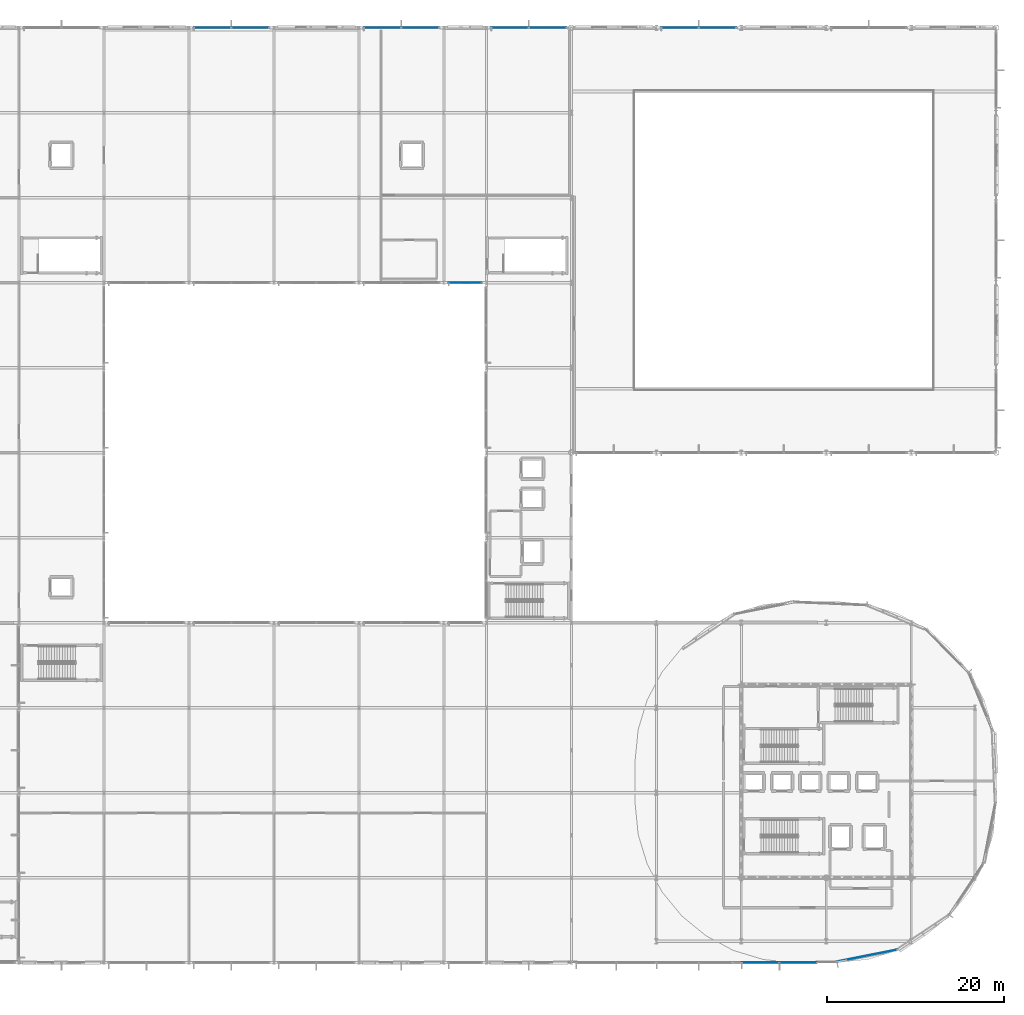
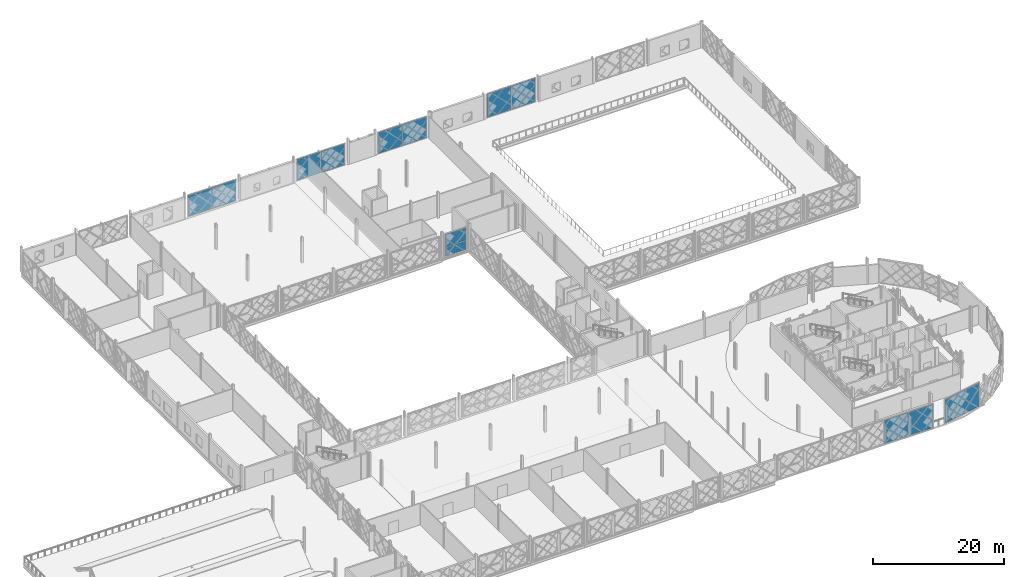
# One storey, part 43 of 77: 13 plates, 7 elements without a shape of their own.
"""IFC4 building model written with IfcOpenShell, lengths in metres."""

import ifcopenshell
import ifcopenshell.guid

model = None  # the IFC model being written
_history = None  # IfcOwnerHistory: only IFC2X3 demands one
_inside = {}  # id of a spatial element -> (the spatial element, [elements in it])
_under = {}  # id of a project, library or spatial element -> (it, [spatial elements below it])
_declared = {}  # id of a project -> (the project, [libraries it declares])
_typed = {}  # id of a type object -> (the type object, [elements of that type])
_made_of = {}  # id of a material, layer set ... -> (it, [elements and type objects made of it])


def new_model(schema):
    """Start an empty IFC model of exactly this schema.

    Asked for "IFC4X3", IfcOpenShell would pick the latest addendum, in which some entities
    have other attributes; the version numbers below select the first issue.
    IFC2X3 requires an IfcOwnerHistory on every rooted entity: one is made here for all.
    """
    global model, _history
    if schema == "IFC4X3":
        model = ifcopenshell.file(schema_version=(4, 3, 0, 0))
    else:
        model = ifcopenshell.file(schema=schema)
    _inside.clear()
    _under.clear()
    _declared.clear()
    _typed.clear()
    _made_of.clear()
    _history = None
    if model.schema == "IFC2X3":
        org = make("IfcOrganization", Name="unknown")
        user = make(
            "IfcPersonAndOrganization",
            ThePerson=make("IfcPerson", FamilyName="unknown"),
            TheOrganization=org,
        )
        app = make(
            "IfcApplication",
            ApplicationDeveloper=org,
            Version="unknown",
            ApplicationFullName="unknown",
            ApplicationIdentifier="unknown",
        )
        _history = make(
            "IfcOwnerHistory",
            OwningUser=user,
            OwningApplication=app,
            ChangeAction="ADDED",
            CreationDate=0,
        )
    return model


def make(cls, **values):
    """One entity of the class cls with the attributes given. An attribute that is None is left unset."""
    return model.create_entity(
        cls, **{name: value for name, value in values.items() if value is not None}
    )


def rooted(cls, **values):
    """An entity with a GlobalId (a new one), such as an element, a storey or a relation."""
    return make(cls, GlobalId=ifcopenshell.guid.new(), OwnerHistory=_history, **values)


def si_unit(unit_type, name, prefix=None):
    """IfcSIUnit, for example si_unit("LENGTHUNIT", "METRE", prefix="MILLI")."""
    return make("IfcSIUnit", UnitType=unit_type, Prefix=prefix, Name=name)


def assignment(units):
    """IfcUnitAssignment: the units of a project."""
    return None if units is None else make("IfcUnitAssignment", Units=units)


def point(xyz):
    """IfcCartesianPoint."""
    return None if xyz is None else make("IfcCartesianPoint", Coordinates=xyz)


def direction(xyz):
    """IfcDirection."""
    return None if xyz is None else make("IfcDirection", DirectionRatios=xyz)


def frame(location, z_axis=None, x_axis=None):
    """IfcAxis2Placement3D, a coordinate frame: its origin and axes. An axis left out is left unset."""
    return make(
        "IfcAxis2Placement3D",
        Location=point(location),
        Axis=direction(z_axis),
        RefDirection=direction(x_axis),
    )


def frame_2d(location, x_axis=None):
    """IfcAxis2Placement2D, a coordinate frame in the plane: its origin and x axis."""
    return make(
        "IfcAxis2Placement2D", Location=point(location), RefDirection=direction(x_axis)
    )


def origin():
    """The frame at (0, 0, 0) with its axes left unset."""
    return frame((0.0, 0.0, 0.0))


def origin_2d():
    """The frame at (0, 0) in the plane with its x axis left unset."""
    return frame_2d((0.0, 0.0))


def place(relative_to, where):
    """IfcLocalPlacement: puts the frame where relative to a parent placement (None: the world)."""
    return make(
        "IfcLocalPlacement", PlacementRelTo=relative_to, RelativePlacement=where
    )


def context(
    kind, dimensions, precision=None, world=None, true_north=None, identifier=None
):
    """IfcGeometricRepresentationContext, for example the 3D "Model" context."""
    return make(
        "IfcGeometricRepresentationContext",
        ContextIdentifier=identifier,
        ContextType=kind,
        CoordinateSpaceDimension=dimensions,
        Precision=precision,
        WorldCoordinateSystem=world,
        TrueNorth=true_north,
    )


def subcontext(parent, identifier, kind, view, scale=None):
    """IfcGeometricRepresentationSubContext, for example "Body" below "Model"."""
    return make(
        "IfcGeometricRepresentationSubContext",
        ContextIdentifier=identifier,
        ContextType=kind,
        ParentContext=parent,
        TargetScale=scale,
        TargetView=view,
    )


def project(units=None, contexts=None):
    """IfcProject with its units and contexts."""
    return rooted(
        "IfcProject",
        Name="project",
        RepresentationContexts=contexts,
        UnitsInContext=assignment(units),
    )


def spatial(cls, under=None, at=None, **own):
    """A site, building, storey or space (cls), placed at a placement, below another one or the project."""
    s = rooted(cls, ObjectPlacement=at, **own)
    if under is not None:
        _under.setdefault(under.id(), (under, []))[1].append(s)
    return s


def profile(cls, at=None, kind="AREA", **sizes):
    """A parametric profile (cls). Its sizes go by their IFC names, for example OverallWidth=200.0."""
    return make(cls, ProfileType=kind, Position=at, **sizes)


def rectangle(**sizes):
    """IfcRectangleProfileDef."""
    return profile("IfcRectangleProfileDef", **sizes)


def extrude(swept, where, along, depth):
    """IfcExtrudedAreaSolid: the profile swept, set in the frame where, extruded along a direction by depth."""
    return make(
        "IfcExtrudedAreaSolid",
        SweptArea=swept,
        Position=where,
        ExtrudedDirection=direction(along),
        Depth=depth,
    )


def shape(context_of_items, identifier, shape_type, items):
    """IfcShapeRepresentation: the items that make up one representation, for example the "Body"."""
    return make(
        "IfcShapeRepresentation",
        ContextOfItems=context_of_items,
        RepresentationIdentifier=identifier,
        RepresentationType=shape_type,
        Items=items,
    )


def material(Name=None, Category=None):
    """IfcMaterial."""
    return make("IfcMaterial", Name=Name, Category=Category)


def layer(
    of_material, thickness, ventilated=None, Name=None, Category=None, Priority=None
):
    """IfcMaterialLayer: one layer of a wall or slab, of a material (None: an air gap)."""
    return make(
        "IfcMaterialLayer",
        Material=of_material,
        LayerThickness=thickness,
        IsVentilated=ventilated,
        Name=Name,
        Category=Category,
        Priority=Priority,
    )


def layer_set(layers, Name=None):
    """IfcMaterialLayerSet."""
    return make("IfcMaterialLayerSet", MaterialLayers=layers, LayerSetName=Name)


def made_of(thing, what):
    """Note that an element or type object is made of a material, layer set ...; save() writes the relation."""
    if what is not None:
        _made_of.setdefault(what.id(), (what, []))[1].append(thing)
    return thing


def type_object(cls, material=None, **own):
    """A type object (cls), such as IfcWallType, which elements share."""
    return made_of(rooted(cls, **own), material)


def element(
    cls,
    number,
    at=None,
    inside=None,
    cuts=None,
    type_object=None,
    material=None,
    context=None,
    identifier="Body",
    shape_type=None,
    held_by="IfcProductDefinitionShape",
    body=None,
    shapes=None,
    **own,
):
    """One element of the class cls, such as IfcWall. Its Tag is "e" and its number.

    at: its placement. inside: the storey or other place that contains it. cuts: it is an
    opening in that element (IfcRelVoidsElement). A single representation is given by context,
    identifier, shape_type and body (its items); several are given by shapes. held_by: the class
    of the entity that holds the representations. save() writes the other relations.
    """
    e = rooted(cls, Tag="e%d" % number, ObjectPlacement=at, **own)
    if body is not None:
        shapes = [shape(context, identifier, shape_type, body)]
    if shapes is not None:
        e.Representation = make(held_by, Representations=shapes)
    if inside is not None:
        _inside.setdefault(inside.id(), (inside, []))[1].append(e)
    if cuts is not None:
        rooted(
            "IfcRelVoidsElement", RelatingBuildingElement=cuts, RelatedOpeningElement=e
        )
    if type_object is not None:
        _typed.setdefault(type_object.id(), (type_object, []))[1].append(e)
    return made_of(e, material)


def aggregate(whole, parts):
    """IfcRelAggregates: a whole, such as a stair, and the parts it consists of."""
    return rooted("IfcRelAggregates", RelatingObject=whole, RelatedObjects=parts)


def save(model, path):
    """Write the relations noted so far, then the file.

    IfcRelAggregates (storeys below a building ...), IfcRelContainedInSpatialStructure (elements
    in a storey), IfcRelDefinesByType, IfcRelAssociatesMaterial and IfcRelDeclares: one each for
    every whole, place, type object, material and project.
    """
    for whole, parts in _under.values():
        aggregate(whole, parts)
    for where, things in _inside.values():
        rooted(
            "IfcRelContainedInSpatialStructure",
            RelatedElements=things,
            RelatingStructure=where,
        )
    for kind, things in _typed.values():
        rooted("IfcRelDefinesByType", RelatedObjects=things, RelatingType=kind)
    for what, things in _made_of.values():
        rooted("IfcRelAssociatesMaterial", RelatedObjects=things, RelatingMaterial=what)
    for by, libraries in _declared.values():
        rooted("IfcRelDeclares", RelatingContext=by, RelatedDefinitions=libraries)
    model.write(path)


model = new_model("IFC4")

# Units and contexts
model_context = context("Model", 3, precision=1e-05, world=origin(), true_north=direction((0.0, 1.0)))
body_context = subcontext(model_context, "Body", "Model", "MODEL_VIEW")
ifc_project = project(units=[si_unit("LENGTHUNIT", "METRE"), si_unit("AREAUNIT", "SQUARE_METRE"), si_unit("VOLUMEUNIT", "CUBIC_METRE"), si_unit("PLANEANGLEUNIT", "RADIAN"), si_unit("MASSUNIT", "GRAM", prefix="KILO")], contexts=[model_context])

# Site, building, storey
site_placement = place(None, origin())
site = spatial("IfcSite", under=ifc_project, at=site_placement, CompositionType="ELEMENT")
building_placement = place(site_placement, origin())
building = spatial("IfcBuilding", under=site, at=building_placement, Name="Zevrakil Square Congress Hotel", CompositionType="ELEMENT")
storey_placement = place(building_placement, frame((0.0, 0.0, 9.89990234375)))
storey = spatial("IfcBuildingStorey", under=building, at=storey_placement, Name="L03", CompositionType="ELEMENT", Elevation=9.89990234375)

# Curtain wall, plate
ifc_material_1 = material(Name="Aluminium Anodised Bronze", Category="aluminium")
ifc_layer_1 = layer(ifc_material_1, 0.179931640625)
ifc_layer_set_1 = layer_set([ifc_layer_1], Name="Aluminium Anodised Bronze")
curtain_wall_type_1 = type_object("IfcCurtainWallType", Name="CW-L03-840", PredefinedType="USERDEFINED", material=ifc_layer_set_1)
curtain_wall_1_placement = place(storey_placement, origin())
curtain_wall_1 = element("IfcCurtainWall", 1, at=curtain_wall_1_placement, inside=storey, type_object=curtain_wall_type_1, Name="L03 diamond curtain wall CW-L03-0039", ObjectType="GLAZED CURTAIN WALL", PredefinedType="USERDEFINED")
ifc_material_2 = material(Name="Low-E Solar Control Double Glazing", Category="glass")
ifc_layer_2 = layer(ifc_material_2, 0.028076171875)
ifc_layer_set_2 = layer_set([ifc_layer_2], Name="Low-E Solar Control Double Glazing")
plate_type_1 = type_object("IfcPlateType", Name="CWP-GLAZ-28", PredefinedType="CURTAIN_PANEL", material=ifc_layer_set_2)
plate_1_placement = place(storey_placement, frame((77.074951171875, 112.800048828125, 0.06005859375), z_axis=(0.0, 0.0, 1.0), x_axis=(1.0, 0.0, 0.0)))
plate_1 = element("IfcPlate", 2, at=plate_1_placement, type_object=plate_type_1, Name="CW-35 panel 1.1", PredefinedType="CURTAIN_PANEL", context=body_context, shape_type="SweptSolid", body=[
    extrude(rectangle(XDim=4.18994140625, YDim=0.028076171875, at=origin_2d()), origin(), (0.0, 0.0, 1.0), 3.965087890625),
])

curtain_wall_2_placement = place(storey_placement, origin())
curtain_wall_2 = element("IfcCurtainWall", 3, at=curtain_wall_2_placement, inside=storey, type_object=curtain_wall_type_1, Name="L03 diamond curtain wall CW-L03-0041", ObjectType="GLAZED CURTAIN WALL", PredefinedType="USERDEFINED")
plate_2_placement = place(storey_placement, frame((96.27490234375, 112.800048828125, 0.06005859375), z_axis=(0.0, 0.0, 1.0), x_axis=(1.0, 0.0, 0.0)))
plate_2 = element("IfcPlate", 4, at=plate_2_placement, type_object=plate_type_1, Name="CW-35 panel 1.1", PredefinedType="CURTAIN_PANEL", context=body_context, shape_type="SweptSolid", body=[
    extrude(rectangle(XDim=4.18994140625, YDim=0.028076171875, at=origin_2d()), origin(), (0.0, 0.0, 1.0), 3.965087890625),
])

curtain_wall_3_placement = place(storey_placement, origin())
curtain_wall_3 = element("IfcCurtainWall", 5, at=curtain_wall_3_placement, inside=storey, type_object=curtain_wall_type_1, Name="L03 diamond curtain wall CW-L03-0043", ObjectType="GLAZED CURTAIN WALL", PredefinedType="USERDEFINED")
plate_3_placement = place(storey_placement, frame((114.925048828125, 112.800048828125, 0.06005859375), z_axis=(0.0, 0.0, 1.0), x_axis=(1.0, 0.0, 0.0)))
plate_3 = element("IfcPlate", 6, at=plate_3_placement, type_object=plate_type_1, Name="CW-35 panel 2.1", PredefinedType="CURTAIN_PANEL", context=body_context, shape_type="SweptSolid", body=[
    extrude(rectangle(XDim=4.18994140625, YDim=0.028076171875, at=origin_2d()), origin(), (0.0, 0.0, 1.0), 3.965087890625),
])

curtain_wall_4_placement = place(storey_placement, origin())
curtain_wall_4 = element("IfcCurtainWall", 7, at=curtain_wall_4_placement, inside=storey, type_object=curtain_wall_type_1, Name="L03 diamond curtain wall CW-L03-0045", ObjectType="GLAZED CURTAIN WALL", PredefinedType="USERDEFINED")
plate_4_placement = place(storey_placement, frame((134.125, 112.800048828125, 0.06005859375), z_axis=(0.0, 0.0, 1.0), x_axis=(1.0, 0.0, 0.0)))
plate_4 = element("IfcPlate", 8, at=plate_4_placement, type_object=plate_type_1, Name="CW-35 panel 2.1", PredefinedType="CURTAIN_PANEL", context=body_context, shape_type="SweptSolid", body=[
    extrude(rectangle(XDim=4.18994140625, YDim=0.028076171875, at=origin_2d()), origin(), (0.0, 0.0, 1.0), 4.419921875),
])

ifc_material_3 = material(Name="Aluminium Anodised Bronze", Category="aluminium")
ifc_layer_3 = layer(ifc_material_3, 0.179931640625)
ifc_layer_set_3 = layer_set([ifc_layer_3], Name="Aluminium Anodised Bronze")
curtain_wall_type_2 = type_object("IfcCurtainWallType", Name="CW-L03-360", PredefinedType="USERDEFINED", material=ifc_layer_set_3)
curtain_wall_5_placement = place(storey_placement, origin())
curtain_wall_5 = element("IfcCurtainWall", 9, at=curtain_wall_5_placement, inside=storey, type_object=curtain_wall_type_2, Name="L03 diamond curtain wall CW-L03-0118", ObjectType="GLAZED CURTAIN WALL", PredefinedType="USERDEFINED")
plate_5_placement = place(storey_placement, frame((105.60009765625, 84.0, 1.80029296875), z_axis=(0.0, 0.0, 1.0), x_axis=(1.0, 0.0, 0.0)))
plate_5 = element("IfcPlate", 10, at=plate_5_placement, type_object=plate_type_1, Name="CW-28 panel 1.2", PredefinedType="CURTAIN_PANEL", context=body_context, shape_type="SweptSolid", body=[
    extrude(rectangle(XDim=3.639892578125, YDim=0.028076171875, at=origin_2d()), origin(), (0.0, 0.0, 1.0), 2.354736328125),
])

ifc_material_4 = material(Name="Aluminium Anodised Bronze", Category="aluminium")
ifc_layer_4 = layer(ifc_material_4, 0.179931640625)
ifc_layer_set_4 = layer_set([ifc_layer_4], Name="Aluminium Anodised Bronze")
curtain_wall_type_3 = type_object("IfcCurtainWallType", Name="CW-L03-720", PredefinedType="USERDEFINED", material=ifc_layer_set_4)
curtain_wall_6_placement = place(storey_placement, origin())
curtain_wall_6 = element("IfcCurtainWall", 11, at=curtain_wall_6_placement, inside=storey, type_object=curtain_wall_type_3, Name="L03 diamond curtain wall CW-L03-0161", ObjectType="GLAZED CURTAIN WALL", PredefinedType="USERDEFINED")
plate_6_placement = place(storey_placement, frame((150.990478515625, 7.973388671875, 0.06005859375), z_axis=(0.0, 0.0, 1.0), x_axis=(0.980786557708, 0.195083900459, 0.0)))
plate_6 = element("IfcPlate", 12, at=plate_6_placement, type_object=plate_type_1, Name="CW-34 panel 1.1", PredefinedType="CURTAIN_PANEL", context=body_context, shape_type="SweptSolid", body=[
    extrude(rectangle(XDim=6.8857421875, YDim=0.028076171875, at=origin_2d()), origin(), (0.0, 0.0, 1.0), 4.419921875),
])
aggregate(curtain_wall_6, [plate_6])

curtain_wall_7_placement = place(storey_placement, origin())
curtain_wall_7 = element("IfcCurtainWall", 13, at=curtain_wall_7_placement, inside=storey, type_object=curtain_wall_type_1, Name="L03 diamond curtain wall CW-L03-0017", ObjectType="GLAZED CURTAIN WALL", PredefinedType="USERDEFINED")
ifc_material_5 = material(Name="Basalt Grey Ribbed GRC Panel", Category="masonry")
ifc_layer_5 = layer(ifc_material_5, 0.0439453125)
ifc_layer_set_5 = layer_set([ifc_layer_5], Name="Basalt Grey Ribbed GRC Panel")
plate_type_2 = type_object("IfcPlateType", Name="CWP-GRCG-44", PredefinedType="CURTAIN_PANEL", material=ifc_layer_set_5)
plate_7_placement = place(storey_placement, frame((143.23583984375, 7.199951171875, 0.06005859375), z_axis=(0.0, 0.0, 1.0), x_axis=(1.0, 0.0, 0.0)))
plate_7 = element("IfcPlate", 14, at=plate_7_placement, type_object=plate_type_2, Name="CW-35 panel 2.1", PredefinedType="CURTAIN_PANEL", context=body_context, shape_type="SweptSolid", body=[
    extrude(rectangle(XDim=4.20849609375, YDim=0.028076171875, at=origin_2d()), origin(), (0.0, 0.0, 1.0), 4.419921875),
])

# Plate
plate_8_placement = place(storey_placement, frame((110.675048828125, 112.800048828125, 0.06005859375), z_axis=(0.0, 0.0, 1.0), x_axis=(1.0, 0.0, 0.0)))
plate_8 = element("IfcPlate", 15, at=plate_8_placement, type_object=plate_type_2, Name="CW-35 panel 1.1", PredefinedType="CURTAIN_PANEL", context=body_context, shape_type="SweptSolid", body=[
    extrude(rectangle(XDim=4.18994140625, YDim=0.028076171875, at=origin_2d()), origin(), (0.0, 0.0, 1.0), 3.965087890625),
])

aggregate(curtain_wall_3, [plate_8, plate_3])

plate_9_placement = place(storey_placement, frame((105.60009765625, 84.0, 0.06005859375), z_axis=(0.0, 0.0, 1.0), x_axis=(1.0, 0.0, 0.0)))
plate_9 = element("IfcPlate", 16, at=plate_9_placement, type_object=plate_type_2, Name="CW-28 panel 1.1", PredefinedType="CURTAIN_PANEL", context=body_context, shape_type="SweptSolid", body=[
    extrude(rectangle(XDim=3.639892578125, YDim=0.028076171875, at=origin_2d()), origin(), (0.0, 0.0, 1.0), 1.680419921875),
])

aggregate(curtain_wall_5, [plate_9, plate_5])

ifc_material_6 = material(Name="White Ribbed Highland GRC Panel", Category="concrete")
ifc_layer_6 = layer(ifc_material_6, 0.0400390625)
ifc_layer_set_6 = layer_set([ifc_layer_6], Name="White Ribbed Highland GRC Panel")
plate_type_3 = type_object("IfcPlateType", Name="CWP-GRCW-40", PredefinedType="CURTAIN_PANEL", material=ifc_layer_set_6)
plate_10_placement = place(storey_placement, frame((138.96728515625, 7.199951171875, 0.06005859375), z_axis=(0.0, 0.0, 1.0), x_axis=(1.0, 0.0, 0.0)))
plate_10 = element("IfcPlate", 17, at=plate_10_placement, type_object=plate_type_3, Name="CW-35 panel 1.1", PredefinedType="CURTAIN_PANEL", context=body_context, shape_type="SweptSolid", body=[
    extrude(rectangle(XDim=4.20849609375, YDim=0.028076171875, at=origin_2d()), origin(), (0.0, 0.0, 1.0), 4.419921875),
])

aggregate(curtain_wall_7, [plate_10, plate_7])

plate_11_placement = place(storey_placement, frame((81.324951171875, 112.800048828125, 0.06005859375), z_axis=(0.0, 0.0, 1.0), x_axis=(1.0, 0.0, 0.0)))
plate_11 = element("IfcPlate", 18, at=plate_11_placement, type_object=plate_type_3, Name="CW-35 panel 2.1", PredefinedType="CURTAIN_PANEL", context=body_context, shape_type="SweptSolid", body=[
    extrude(rectangle(XDim=4.18994140625, YDim=0.028076171875, at=origin_2d()), origin(), (0.0, 0.0, 1.0), 3.965087890625),
])

aggregate(curtain_wall_1, [plate_1, plate_11])

plate_12_placement = place(storey_placement, frame((100.52490234375, 112.800048828125, 0.06005859375), z_axis=(0.0, 0.0, 1.0), x_axis=(1.0, 0.0, 0.0)))
plate_12 = element("IfcPlate", 19, at=plate_12_placement, type_object=plate_type_3, Name="CW-35 panel 2.1", PredefinedType="CURTAIN_PANEL", context=body_context, shape_type="SweptSolid", body=[
    extrude(rectangle(XDim=4.18994140625, YDim=0.028076171875, at=origin_2d()), origin(), (0.0, 0.0, 1.0), 3.965087890625),
])

aggregate(curtain_wall_2, [plate_2, plate_12])

plate_13_placement = place(storey_placement, frame((129.875, 112.800048828125, 0.06005859375), z_axis=(0.0, 0.0, 1.0), x_axis=(1.0, 0.0, 0.0)))
plate_13 = element("IfcPlate", 20, at=plate_13_placement, type_object=plate_type_3, Name="CW-35 panel 1.1", PredefinedType="CURTAIN_PANEL", context=body_context, shape_type="SweptSolid", body=[
    extrude(rectangle(XDim=4.18994140625, YDim=0.028076171875, at=origin_2d()), origin(), (0.0, 0.0, 1.0), 4.419921875),
])

aggregate(curtain_wall_4, [plate_13, plate_4])

save(model, "model.ifc")
